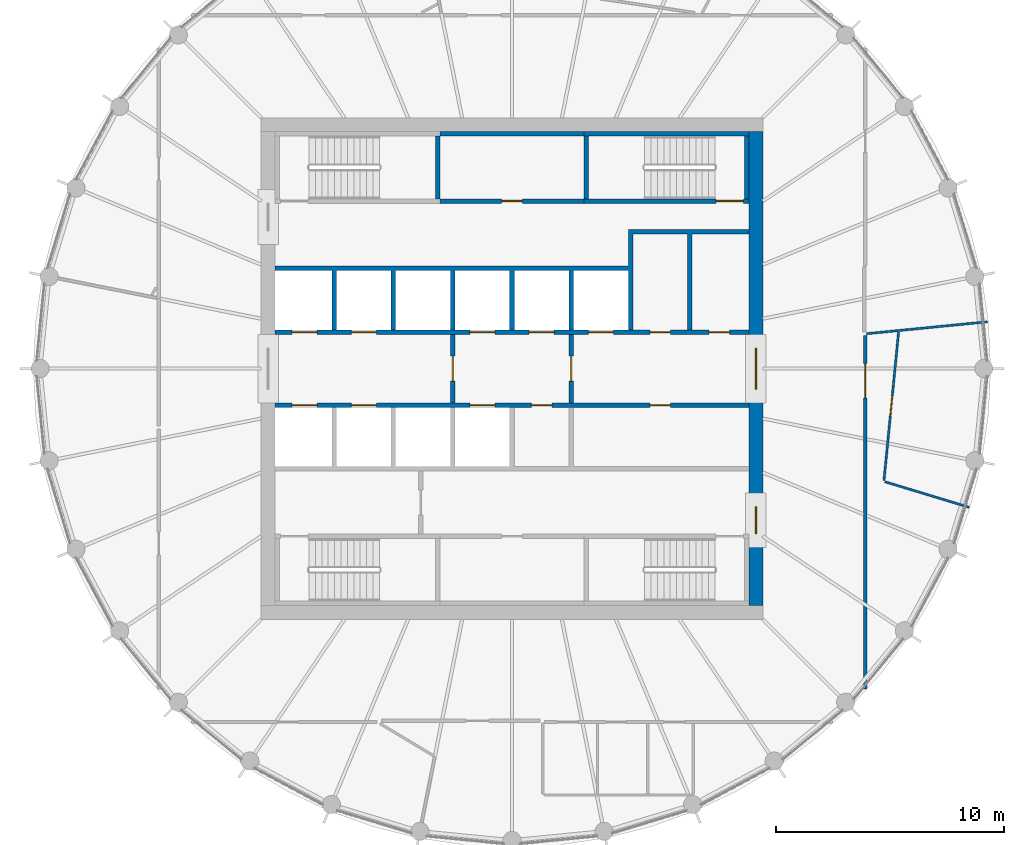
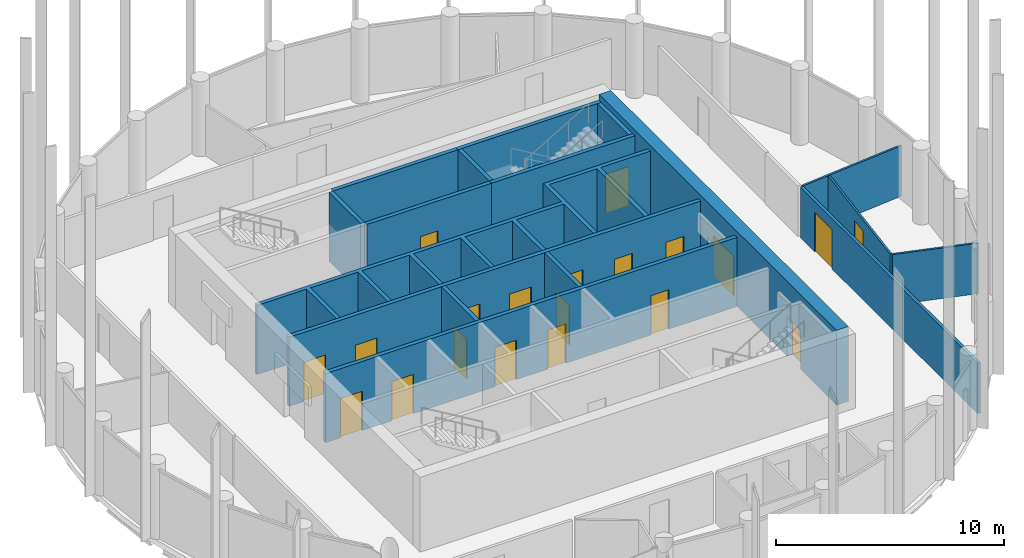
# One storey, part 5 of 7: 20 doors, 17 walls, 20 openings.
"""IFC4 building model written with IfcOpenShell, lengths in metres."""

from ifc_helpers import new_model, si_unit, direction, frame, frame_2d, origin, place, context, subcontext, project, spatial, polyline, rectangle, outline, extrude, material, layer, layer_set, type_object, element, fill, save


model = new_model("IFC4")

# Units and contexts
model_context = context("Model", 3, precision=1e-05, world=origin(), true_north=direction((0.0, 1.0)))
body_context = subcontext(model_context, "Body", "Model", "MODEL_VIEW")
ifc_project = project(units=[si_unit("LENGTHUNIT", "METRE"), si_unit("AREAUNIT", "SQUARE_METRE"), si_unit("VOLUMEUNIT", "CUBIC_METRE"), si_unit("PLANEANGLEUNIT", "RADIAN"), si_unit("MASSUNIT", "GRAM", prefix="KILO")], contexts=[model_context])

# Site, building, storey
site_placement = place(None, origin())
site = spatial("IfcSite", under=ifc_project, at=site_placement, CompositionType="ELEMENT")
building_placement = place(site_placement, origin())
building = spatial("IfcBuilding", under=site, at=building_placement, Name="Corvane Civic Tower", CompositionType="ELEMENT")
storey_placement = place(building_placement, frame((0.0, 0.0, 340.5)))
storey = spatial("IfcBuildingStorey", under=building, at=storey_placement, Name="L81", CompositionType="ELEMENT", Elevation=340.5)

# Wall, openings, doors
ifc_material_1 = material(Name="Concrete C40/50", Category="concrete")
ifc_layer_1 = layer(ifc_material_1, 0.60009765625)
ifc_layer_set_1 = layer_set([ifc_layer_1], Name="Concrete C40/50")
wall_type_1 = type_object("IfcWallType", Name="CORE WALL 600 C40/50", PredefinedType="SHEAR", material=ifc_layer_set_1)
wall_1_placement = place(storey_placement, frame((10.699951171875, -10.39990234375, 0.0), z_axis=(0.0, 0.0, 1.0), x_axis=(0.0, 1.0, 0.0)))
wall_1 = element("IfcWall", 1, at=wall_1_placement, inside=storey, type_object=wall_type_1, Name="W-L81-core-E", PredefinedType="SHEAR", context=body_context, shape_type="SweptSolid", body=[
    extrude(rectangle(XDim=20.7998046875, YDim=0.60009765625, at=frame_2d((10.39990234375, 0.0))), origin(), (0.0, 0.0, 1.0), 4.0),
])
opening_1_placement = place(wall_1_placement, frame((9.5, 0.0, 0.0)))
opening_1 = element("IfcOpeningElement", 2, at=opening_1_placement, cuts=wall_1, Name="Opening L81.C15", PredefinedType="OPENING", context=body_context, shape_type="SweptSolid", body=[
    extrude(rectangle(XDim=1.800048828125, YDim=2.10009765625, at=frame_2d((0.89990234375, 1.050048828125))), frame((0.0, 0.31005859375, 0.0), z_axis=(0.0, -1.0, 0.0), x_axis=(1.0, 0.0, 0.0)), (0.0, 0.0, 1.0), 0.6201171875),
])
opening_2_placement = place(wall_1_placement, frame((3.14990234375, 0.0, 0.0)))
opening_2 = element("IfcOpeningElement", 3, at=opening_2_placement, cuts=wall_1, Name="Opening L81.C17", PredefinedType="OPENING", context=body_context, shape_type="SweptSolid", body=[
    extrude(rectangle(XDim=1.199951171875, YDim=2.10009765625, at=frame_2d((0.60009765625, 1.050048828125))), frame((0.0, 0.31005859375, 0.0), z_axis=(0.0, -1.0, 0.0), x_axis=(1.0, 0.0, 0.0)), (0.0, 0.0, 1.0), 0.6201171875),
])
ifc_material_2 = material(Name="Steel fire door leaf", Category="steel")
door_type_1 = type_object("IfcDoorType", Name="CR-DOOR-CORE-1800", OperationType="DOUBLE_DOOR_SINGLE_SWING", PredefinedType="DOOR", material=ifc_material_2)
door_1_placement = place(opening_1_placement, origin())
door_1 = element("IfcDoor", 4, at=door_1_placement, inside=storey, type_object=door_type_1, Name="L81 door", OperationType="DOUBLE_DOOR_SINGLE_SWING", OverallHeight=2.10009765625, OverallWidth=1.800048828125, PredefinedType="DOOR", context=body_context, shape_type="SweptSolid", body=[
    extrude(rectangle(XDim=1.800048828125, YDim=2.10009765625, at=frame_2d((0.89990234375, 1.050048828125))), frame((0.0, 0.02490234375, 0.0), z_axis=(0.0, -1.0, 0.0), x_axis=(1.0, 0.0, 0.0)), (0.0, 0.0, 1.0), 0.050048828125),
])
fill(opening_1, door_1)
door_2_placement = place(opening_2_placement, origin())
door_2 = element("IfcDoor", 5, at=door_2_placement, inside=storey, type_object=door_type_1, Name="L81 door", OperationType="DOUBLE_DOOR_SINGLE_SWING", OverallHeight=2.10009765625, OverallWidth=1.199951171875, PredefinedType="DOOR", context=body_context, shape_type="SweptSolid", body=[
    extrude(rectangle(XDim=1.199951171875, YDim=2.10009765625, at=frame_2d((0.60009765625, 1.050048828125))), frame((0.0, 0.02490234375, 0.0), z_axis=(0.0, -1.0, 0.0), x_axis=(1.0, 0.0, 0.0)), (0.0, 0.0, 1.0), 0.050048828125),
])
fill(opening_2, door_2)

ifc_material_3 = material(Name="Concrete C30/37", Category="concrete")
ifc_layer_2 = layer(ifc_material_3, 0.199951171875)
ifc_layer_set_2 = layer_set([ifc_layer_2], Name="Concrete C30/37")
wall_type_2 = type_object("IfcWallType", Name="CR-WALL-200", PredefinedType="PARTITIONING", material=ifc_layer_set_2)
wall_2_placement = place(storey_placement, frame((-10.39990234375, -1.60009765625, 0.0), z_axis=(0.0, 0.0, 1.0), x_axis=(1.0, 0.0, 0.0)))
wall_2 = element("IfcWall", 6, at=wall_2_placement, inside=storey, type_object=wall_type_2, Name="L81 lift shaft wall", PredefinedType="PARTITIONING", context=body_context, shape_type="SweptSolid", body=[
    extrude(rectangle(XDim=20.7998046875, YDim=0.199951171875, at=frame_2d((10.39990234375, 0.0))), origin(), (0.0, 0.0, 1.0), 3.699951171875),
])
opening_3_placement = place(wall_2_placement, frame((0.75, 0.0, 0.0)))
opening_3 = element("IfcOpeningElement", 7, at=opening_3_placement, cuts=wall_2, Name="Opening LD", PredefinedType="OPENING", context=body_context, shape_type="SweptSolid", body=[
    extrude(rectangle(XDim=1.10009765625, YDim=2.10009765625, at=frame_2d((0.550048828125, 1.050048828125))), frame((0.0, 0.10986328125, 0.0), z_axis=(0.0, -1.0, 0.0), x_axis=(1.0, 0.0, 0.0)), (0.0, 0.0, 1.0), 0.219970703125),
])
opening_4_placement = place(wall_2_placement, frame((3.35009765625, 0.0, 0.0)))
opening_4 = element("IfcOpeningElement", 8, at=opening_4_placement, cuts=wall_2, Name="Opening LD", PredefinedType="OPENING", context=body_context, shape_type="SweptSolid", body=[
    extrude(rectangle(XDim=1.10009765625, YDim=2.10009765625, at=frame_2d((0.550048828125, 1.050048828125))), frame((0.0, 0.10986328125, 0.0), z_axis=(0.0, -1.0, 0.0), x_axis=(1.0, 0.0, 0.0)), (0.0, 0.0, 1.0), 0.219970703125),
])
opening_5_placement = place(wall_2_placement, frame((8.550048828125, 0.0, 0.0)))
opening_5 = element("IfcOpeningElement", 9, at=opening_5_placement, cuts=wall_2, Name="Opening LD", PredefinedType="OPENING", context=body_context, shape_type="SweptSolid", body=[
    extrude(rectangle(XDim=1.10009765625, YDim=2.10009765625, at=frame_2d((0.550048828125, 1.050048828125))), frame((0.0, 0.10986328125, 0.0), z_axis=(0.0, -1.0, 0.0), x_axis=(1.0, 0.0, 0.0)), (0.0, 0.0, 1.0), 0.219970703125),
])
opening_6_placement = place(wall_2_placement, frame((11.25, 0.0, 0.0)))
opening_6 = element("IfcOpeningElement", 10, at=opening_6_placement, cuts=wall_2, Name="Opening L81.C03", PredefinedType="OPENING", context=body_context, shape_type="SweptSolid", body=[
    extrude(rectangle(XDim=0.89990234375, YDim=2.10009765625, at=frame_2d((0.449951171875, 1.050048828125))), frame((0.0, 0.10986328125, 0.0), z_axis=(0.0, -1.0, 0.0), x_axis=(1.0, 0.0, 0.0)), (0.0, 0.0, 1.0), 0.219970703125),
])
opening_7_placement = place(wall_2_placement, frame((16.449951171875, 0.0, 0.0)))
opening_7 = element("IfcOpeningElement", 11, at=opening_7_placement, cuts=wall_2, Name="Opening L81.C04", PredefinedType="OPENING", context=body_context, shape_type="SweptSolid", body=[
    extrude(rectangle(XDim=0.89990234375, YDim=2.10009765625, at=frame_2d((0.449951171875, 1.050048828125))), frame((0.0, 0.10986328125, 0.0), z_axis=(0.0, -1.0, 0.0), x_axis=(1.0, 0.0, 0.0)), (0.0, 0.0, 1.0), 0.219970703125),
])
ifc_material_4 = material(Name="Steel fire door leaf", Category="steel")
door_type_2 = type_object("IfcDoorType", Name="CR-DOOR-900", OperationType="SINGLE_SWING_LEFT", PredefinedType="DOOR", material=ifc_material_4)
door_3_placement = place(opening_6_placement, origin())
door_3 = element("IfcDoor", 12, at=door_3_placement, inside=storey, type_object=door_type_2, Name="L81 door", OperationType="SINGLE_SWING_LEFT", OverallHeight=2.10009765625, OverallWidth=0.89990234375, PredefinedType="DOOR", context=body_context, shape_type="SweptSolid", body=[
    extrude(rectangle(XDim=0.89990234375, YDim=2.10009765625, at=frame_2d((0.449951171875, 1.050048828125))), frame((0.0, 0.02490234375, 0.0), z_axis=(0.0, -1.0, 0.0), x_axis=(1.0, 0.0, 0.0)), (0.0, 0.0, 1.0), 0.050048828125),
])
fill(opening_6, door_3)
door_4_placement = place(opening_7_placement, origin())
door_4 = element("IfcDoor", 13, at=door_4_placement, inside=storey, type_object=door_type_2, Name="L81 door", OperationType="SINGLE_SWING_LEFT", OverallHeight=2.10009765625, OverallWidth=0.89990234375, PredefinedType="DOOR", context=body_context, shape_type="SweptSolid", body=[
    extrude(rectangle(XDim=0.89990234375, YDim=2.10009765625, at=frame_2d((0.449951171875, 1.050048828125))), frame((0.0, 0.02490234375, 0.0), z_axis=(0.0, -1.0, 0.0), x_axis=(1.0, 0.0, 0.0)), (0.0, 0.0, 1.0), 0.050048828125),
])
fill(opening_7, door_4)
ifc_material_5 = material(Name="Stainless steel 316 door leaves", Category="steel")
door_type_3 = type_object("IfcDoorType", Name="LD", OperationType="DOUBLE_DOOR_SLIDING", PredefinedType="DOOR", material=ifc_material_5)
door_5_placement = place(opening_3_placement, origin())
door_5 = element("IfcDoor", 14, at=door_5_placement, inside=storey, type_object=door_type_3, Name="L81 landing door", OperationType="DOUBLE_DOOR_SLIDING", OverallHeight=2.10009765625, OverallWidth=1.10009765625, PredefinedType="DOOR", context=body_context, shape_type="SweptSolid", body=[
    extrude(rectangle(XDim=1.10009765625, YDim=2.10009765625, at=frame_2d((0.550048828125, 1.050048828125))), frame((0.0, 0.02490234375, 0.0), z_axis=(0.0, -1.0, 0.0), x_axis=(1.0, 0.0, 0.0)), (0.0, 0.0, 1.0), 0.050048828125),
])
fill(opening_3, door_5)
door_6_placement = place(opening_4_placement, origin())
door_6 = element("IfcDoor", 15, at=door_6_placement, inside=storey, type_object=door_type_3, Name="L81 landing door", OperationType="DOUBLE_DOOR_SLIDING", OverallHeight=2.10009765625, OverallWidth=1.10009765625, PredefinedType="DOOR", context=body_context, shape_type="SweptSolid", body=[
    extrude(rectangle(XDim=1.10009765625, YDim=2.10009765625, at=frame_2d((0.550048828125, 1.050048828125))), frame((0.0, 0.02490234375, 0.0), z_axis=(0.0, -1.0, 0.0), x_axis=(1.0, 0.0, 0.0)), (0.0, 0.0, 1.0), 0.050048828125),
])
fill(opening_4, door_6)
door_7_placement = place(opening_5_placement, origin())
door_7 = element("IfcDoor", 16, at=door_7_placement, inside=storey, type_object=door_type_3, Name="L81 landing door", OperationType="DOUBLE_DOOR_SLIDING", OverallHeight=2.10009765625, OverallWidth=1.10009765625, PredefinedType="DOOR", context=body_context, shape_type="SweptSolid", body=[
    extrude(rectangle(XDim=1.10009765625, YDim=2.10009765625, at=frame_2d((0.550048828125, 1.050048828125))), frame((0.0, 0.02490234375, 0.0), z_axis=(0.0, -1.0, 0.0), x_axis=(1.0, 0.0, 0.0)), (0.0, 0.0, 1.0), 0.050048828125),
])
fill(opening_5, door_7)

wall_3_placement = place(storey_placement, frame((-10.39990234375, 1.60009765625, 0.0), z_axis=(0.0, 0.0, 1.0), x_axis=(1.0, 0.0, 0.0)))
wall_3 = element("IfcWall", 17, at=wall_3_placement, inside=storey, type_object=wall_type_2, Name="L81 lift shaft wall", PredefinedType="PARTITIONING", context=body_context, shape_type="SweptSolid", body=[
    extrude(rectangle(XDim=20.7998046875, YDim=0.199951171875, at=frame_2d((10.39990234375, 0.0))), origin(), (0.0, 0.0, 1.0), 3.699951171875),
])
opening_8_placement = place(wall_3_placement, frame((0.75, 0.0, 0.0)))
opening_8 = element("IfcOpeningElement", 18, at=opening_8_placement, cuts=wall_3, Name="Opening LD", PredefinedType="OPENING", context=body_context, shape_type="SweptSolid", body=[
    extrude(rectangle(XDim=1.10009765625, YDim=2.10009765625, at=frame_2d((0.550048828125, 1.050048828125))), frame((0.0, 0.10986328125, 0.0), z_axis=(0.0, -1.0, 0.0), x_axis=(1.0, 0.0, 0.0)), (0.0, 0.0, 1.0), 0.219970703125),
])
opening_9_placement = place(wall_3_placement, frame((3.35009765625, 0.0, 0.0)))
opening_9 = element("IfcOpeningElement", 19, at=opening_9_placement, cuts=wall_3, Name="Opening LD", PredefinedType="OPENING", context=body_context, shape_type="SweptSolid", body=[
    extrude(rectangle(XDim=1.10009765625, YDim=2.10009765625, at=frame_2d((0.550048828125, 1.050048828125))), frame((0.0, 0.10986328125, 0.0), z_axis=(0.0, -1.0, 0.0), x_axis=(1.0, 0.0, 0.0)), (0.0, 0.0, 1.0), 0.219970703125),
])
opening_10_placement = place(wall_3_placement, frame((8.550048828125, 0.0, 0.0)))
opening_10 = element("IfcOpeningElement", 20, at=opening_10_placement, cuts=wall_3, Name="Opening LD", PredefinedType="OPENING", context=body_context, shape_type="SweptSolid", body=[
    extrude(rectangle(XDim=1.10009765625, YDim=2.10009765625, at=frame_2d((0.550048828125, 1.050048828125))), frame((0.0, 0.10986328125, 0.0), z_axis=(0.0, -1.0, 0.0), x_axis=(1.0, 0.0, 0.0)), (0.0, 0.0, 1.0), 0.219970703125),
])
opening_11_placement = place(wall_3_placement, frame((11.14990234375, 0.0, 0.0)))
opening_11 = element("IfcOpeningElement", 21, at=opening_11_placement, cuts=wall_3, Name="Opening LD", PredefinedType="OPENING", context=body_context, shape_type="SweptSolid", body=[
    extrude(rectangle(XDim=1.10009765625, YDim=2.10009765625, at=frame_2d((0.550048828125, 1.050048828125))), frame((0.0, 0.10986328125, 0.0), z_axis=(0.0, -1.0, 0.0), x_axis=(1.0, 0.0, 0.0)), (0.0, 0.0, 1.0), 0.219970703125),
])
opening_12_placement = place(wall_3_placement, frame((13.75, 0.0, 0.0)))
opening_12 = element("IfcOpeningElement", 22, at=opening_12_placement, cuts=wall_3, Name="Opening LD", PredefinedType="OPENING", context=body_context, shape_type="SweptSolid", body=[
    extrude(rectangle(XDim=1.10009765625, YDim=2.10009765625, at=frame_2d((0.550048828125, 1.050048828125))), frame((0.0, 0.10986328125, 0.0), z_axis=(0.0, -1.0, 0.0), x_axis=(1.0, 0.0, 0.0)), (0.0, 0.0, 1.0), 0.219970703125),
])
opening_13_placement = place(wall_3_placement, frame((16.449951171875, 0.0, 0.0)))
opening_13 = element("IfcOpeningElement", 23, at=opening_13_placement, cuts=wall_3, Name="Opening L81.C01", PredefinedType="OPENING", context=body_context, shape_type="SweptSolid", body=[
    extrude(rectangle(XDim=0.89990234375, YDim=2.10009765625, at=frame_2d((0.449951171875, 1.050048828125))), frame((0.0, 0.10986328125, 0.0), z_axis=(0.0, -1.0, 0.0), x_axis=(1.0, 0.0, 0.0)), (0.0, 0.0, 1.0), 0.219970703125),
])
opening_14_placement = place(wall_3_placement, frame((19.050048828125, 0.0, 0.0)))
opening_14 = element("IfcOpeningElement", 24, at=opening_14_placement, cuts=wall_3, Name="Opening L81.C02", PredefinedType="OPENING", context=body_context, shape_type="SweptSolid", body=[
    extrude(rectangle(XDim=0.89990234375, YDim=2.10009765625, at=frame_2d((0.449951171875, 1.050048828125))), frame((0.0, 0.10986328125, 0.0), z_axis=(0.0, -1.0, 0.0), x_axis=(1.0, 0.0, 0.0)), (0.0, 0.0, 1.0), 0.219970703125),
])
door_8_placement = place(opening_13_placement, origin())
door_8 = element("IfcDoor", 25, at=door_8_placement, inside=storey, type_object=door_type_2, Name="L81 door", OperationType="SINGLE_SWING_LEFT", OverallHeight=2.10009765625, OverallWidth=0.89990234375, PredefinedType="DOOR", context=body_context, shape_type="SweptSolid", body=[
    extrude(rectangle(XDim=0.89990234375, YDim=2.10009765625, at=frame_2d((0.449951171875, 1.050048828125))), frame((0.0, 0.02490234375, 0.0), z_axis=(0.0, -1.0, 0.0), x_axis=(1.0, 0.0, 0.0)), (0.0, 0.0, 1.0), 0.050048828125),
])
fill(opening_13, door_8)
door_9_placement = place(opening_14_placement, origin())
door_9 = element("IfcDoor", 26, at=door_9_placement, inside=storey, type_object=door_type_2, Name="L81 door", OperationType="SINGLE_SWING_LEFT", OverallHeight=2.10009765625, OverallWidth=0.89990234375, PredefinedType="DOOR", context=body_context, shape_type="SweptSolid", body=[
    extrude(rectangle(XDim=0.89990234375, YDim=2.10009765625, at=frame_2d((0.449951171875, 1.050048828125))), frame((0.0, 0.02490234375, 0.0), z_axis=(0.0, -1.0, 0.0), x_axis=(1.0, 0.0, 0.0)), (0.0, 0.0, 1.0), 0.050048828125),
])
fill(opening_14, door_9)
door_10_placement = place(opening_8_placement, origin())
door_10 = element("IfcDoor", 27, at=door_10_placement, inside=storey, type_object=door_type_3, Name="L81 landing door", OperationType="DOUBLE_DOOR_SLIDING", OverallHeight=2.10009765625, OverallWidth=1.10009765625, PredefinedType="DOOR", context=body_context, shape_type="SweptSolid", body=[
    extrude(rectangle(XDim=1.10009765625, YDim=2.10009765625, at=frame_2d((0.550048828125, 1.050048828125))), frame((0.0, 0.02490234375, 0.0), z_axis=(0.0, -1.0, 0.0), x_axis=(1.0, 0.0, 0.0)), (0.0, 0.0, 1.0), 0.050048828125),
])
fill(opening_8, door_10)
door_11_placement = place(opening_9_placement, origin())
door_11 = element("IfcDoor", 28, at=door_11_placement, inside=storey, type_object=door_type_3, Name="L81 landing door", OperationType="DOUBLE_DOOR_SLIDING", OverallHeight=2.10009765625, OverallWidth=1.10009765625, PredefinedType="DOOR", context=body_context, shape_type="SweptSolid", body=[
    extrude(rectangle(XDim=1.10009765625, YDim=2.10009765625, at=frame_2d((0.550048828125, 1.050048828125))), frame((0.0, 0.02490234375, 0.0), z_axis=(0.0, -1.0, 0.0), x_axis=(1.0, 0.0, 0.0)), (0.0, 0.0, 1.0), 0.050048828125),
])
fill(opening_9, door_11)
door_12_placement = place(opening_10_placement, origin())
door_12 = element("IfcDoor", 29, at=door_12_placement, inside=storey, type_object=door_type_3, Name="L81 landing door", OperationType="DOUBLE_DOOR_SLIDING", OverallHeight=2.10009765625, OverallWidth=1.10009765625, PredefinedType="DOOR", context=body_context, shape_type="SweptSolid", body=[
    extrude(rectangle(XDim=1.10009765625, YDim=2.10009765625, at=frame_2d((0.550048828125, 1.050048828125))), frame((0.0, 0.02490234375, 0.0), z_axis=(0.0, -1.0, 0.0), x_axis=(1.0, 0.0, 0.0)), (0.0, 0.0, 1.0), 0.050048828125),
])
fill(opening_10, door_12)
door_13_placement = place(opening_11_placement, origin())
door_13 = element("IfcDoor", 30, at=door_13_placement, inside=storey, type_object=door_type_3, Name="L81 landing door", OperationType="DOUBLE_DOOR_SLIDING", OverallHeight=2.10009765625, OverallWidth=1.10009765625, PredefinedType="DOOR", context=body_context, shape_type="SweptSolid", body=[
    extrude(rectangle(XDim=1.10009765625, YDim=2.10009765625, at=frame_2d((0.550048828125, 1.050048828125))), frame((0.0, 0.02490234375, 0.0), z_axis=(0.0, -1.0, 0.0), x_axis=(1.0, 0.0, 0.0)), (0.0, 0.0, 1.0), 0.050048828125),
])
fill(opening_11, door_13)
door_14_placement = place(opening_12_placement, origin())
door_14 = element("IfcDoor", 31, at=door_14_placement, inside=storey, type_object=door_type_3, Name="L81 landing door", OperationType="DOUBLE_DOOR_SLIDING", OverallHeight=2.10009765625, OverallWidth=1.10009765625, PredefinedType="DOOR", context=body_context, shape_type="SweptSolid", body=[
    extrude(rectangle(XDim=1.10009765625, YDim=2.10009765625, at=frame_2d((0.550048828125, 1.050048828125))), frame((0.0, 0.02490234375, 0.0), z_axis=(0.0, -1.0, 0.0), x_axis=(1.0, 0.0, 0.0)), (0.0, 0.0, 1.0), 0.050048828125),
])
fill(opening_12, door_14)

# Wall, opening, door
wall_4_placement = place(storey_placement, frame((-3.14990234375, 7.35009765625, 0.0), z_axis=(0.0, 0.0, 1.0), x_axis=(1.0, 0.0, 0.0)))
wall_4 = element("IfcWall", 32, at=wall_4_placement, inside=storey, type_object=wall_type_2, Name="L81 core partition wall", PredefinedType="PARTITIONING", context=body_context, shape_type="SweptSolid", body=[
    extrude(rectangle(XDim=6.2998046875, YDim=0.199951171875, at=frame_2d((3.14990234375, 0.0))), origin(), (0.0, 0.0, 1.0), 3.699951171875),
])
opening_15_placement = place(wall_4_placement, frame((2.699951171875, 0.0, 0.0)))
opening_15 = element("IfcOpeningElement", 33, at=opening_15_placement, cuts=wall_4, Name="Opening L81.C05", PredefinedType="OPENING", context=body_context, shape_type="SweptSolid", body=[
    extrude(rectangle(XDim=0.89990234375, YDim=2.10009765625, at=frame_2d((0.449951171875, 1.050048828125))), frame((0.0, 0.10986328125, 0.0), z_axis=(0.0, -1.0, 0.0), x_axis=(1.0, 0.0, 0.0)), (0.0, 0.0, 1.0), 0.219970703125),
])
door_15_placement = place(opening_15_placement, origin())
door_15 = element("IfcDoor", 34, at=door_15_placement, inside=storey, type_object=door_type_2, Name="L81 door", OperationType="SINGLE_SWING_LEFT", OverallHeight=2.10009765625, OverallWidth=0.89990234375, PredefinedType="DOOR", context=body_context, shape_type="SweptSolid", body=[
    extrude(rectangle(XDim=0.89990234375, YDim=2.10009765625, at=frame_2d((0.449951171875, 1.050048828125))), frame((0.0, 0.02490234375, 0.0), z_axis=(0.0, -1.0, 0.0), x_axis=(1.0, 0.0, 0.0)), (0.0, 0.0, 1.0), 0.050048828125),
])
fill(opening_15, door_15)

wall_5_placement = place(storey_placement, frame((-2.60009765625, -1.5, 0.0), z_axis=(0.0, 0.0, 1.0), x_axis=(0.0, 1.0, 0.0)))
wall_5 = element("IfcWall", 35, at=wall_5_placement, inside=storey, type_object=wall_type_2, Name="L81 firefighting lobby wall", PredefinedType="PARTITIONING", context=body_context, shape_type="SweptSolid", body=[
    extrude(rectangle(XDim=3.0, YDim=0.199951171875, at=frame_2d((1.5, 0.0))), origin(), (0.0, 0.0, 1.0), 3.699951171875),
])
opening_16_placement = place(wall_5_placement, frame((0.949951171875, 0.0, 0.0)))
opening_16 = element("IfcOpeningElement", 36, at=opening_16_placement, cuts=wall_5, Name="Opening L81.C11", PredefinedType="OPENING", context=body_context, shape_type="SweptSolid", body=[
    extrude(rectangle(XDim=1.10009765625, YDim=2.10009765625, at=frame_2d((0.550048828125, 1.050048828125))), frame((0.0, 0.10986328125, 0.0), z_axis=(0.0, -1.0, 0.0), x_axis=(1.0, 0.0, 0.0)), (0.0, 0.0, 1.0), 0.219970703125),
])
ifc_material_6 = material(Name="Steel fire door leaf", Category="steel")
door_type_4 = type_object("IfcDoorType", Name="CR-DOOR-FFL-1100", OperationType="SINGLE_SWING_LEFT", PredefinedType="DOOR", material=ifc_material_6)
door_16_placement = place(opening_16_placement, origin())
door_16 = element("IfcDoor", 37, at=door_16_placement, inside=storey, type_object=door_type_4, Name="L81 lobby door", OperationType="SINGLE_SWING_LEFT", OverallHeight=2.10009765625, OverallWidth=1.10009765625, PredefinedType="DOOR", context=body_context, shape_type="SweptSolid", body=[
    extrude(rectangle(XDim=1.10009765625, YDim=2.10009765625, at=frame_2d((0.550048828125, 1.050048828125))), frame((0.0, 0.02490234375, 0.0), z_axis=(0.0, -1.0, 0.0), x_axis=(1.0, 0.0, 0.0)), (0.0, 0.0, 1.0), 0.050048828125),
])
fill(opening_16, door_16)

wall_6_placement = place(storey_placement, frame((2.60009765625, -1.5, 0.0), z_axis=(0.0, 0.0, 1.0), x_axis=(0.0, 1.0, 0.0)))
wall_6 = element("IfcWall", 38, at=wall_6_placement, inside=storey, type_object=wall_type_2, Name="L81 firefighting lobby wall", PredefinedType="PARTITIONING", context=body_context, shape_type="SweptSolid", body=[
    extrude(rectangle(XDim=3.0, YDim=0.199951171875, at=frame_2d((1.5, 0.0))), origin(), (0.0, 0.0, 1.0), 3.699951171875),
])
opening_17_placement = place(wall_6_placement, frame((0.949951171875, 0.0, 0.0)))
opening_17 = element("IfcOpeningElement", 39, at=opening_17_placement, cuts=wall_6, Name="Opening L81.C12", PredefinedType="OPENING", context=body_context, shape_type="SweptSolid", body=[
    extrude(rectangle(XDim=1.10009765625, YDim=2.10009765625, at=frame_2d((0.550048828125, 1.050048828125))), frame((0.0, 0.10986328125, 0.0), z_axis=(0.0, -1.0, 0.0), x_axis=(1.0, 0.0, 0.0)), (0.0, 0.0, 1.0), 0.219970703125),
])
door_17_placement = place(opening_17_placement, origin())
door_17 = element("IfcDoor", 40, at=door_17_placement, inside=storey, type_object=door_type_4, Name="L81 lobby door", OperationType="SINGLE_SWING_LEFT", OverallHeight=2.10009765625, OverallWidth=1.10009765625, PredefinedType="DOOR", context=body_context, shape_type="SweptSolid", body=[
    extrude(rectangle(XDim=1.10009765625, YDim=2.10009765625, at=frame_2d((0.550048828125, 1.050048828125))), frame((0.0, 0.02490234375, 0.0), z_axis=(0.0, -1.0, 0.0), x_axis=(1.0, 0.0, 0.0)), (0.0, 0.0, 1.0), 0.050048828125),
])
fill(opening_17, door_17)

# Walls
wall_7_placement = place(storey_placement, origin())
element("IfcWall", 41, at=wall_7_placement, inside=storey, type_object=wall_type_2, Name="L81 core partition wall", PredefinedType="PARTITIONING", context=body_context, shape_type="SweptSolid", body=[
    extrude(outline(polyline([(3.14990234375, 10.199951171875), (-3.14990234375, 10.199951171875), (-3.14990234375, 10.39990234375), (3.14990234375, 10.39990234375), (3.14990234375, 10.199951171875)])), origin(), (0.0, 0.0, 1.0), 3.699951171875),
])
wall_8_placement = place(storey_placement, origin())
element("IfcWall", 42, at=wall_8_placement, inside=storey, type_object=wall_type_2, Name="L81 core partition wall", PredefinedType="PARTITIONING", context=body_context, shape_type="SweptSolid", body=[
    extrude(outline(polyline([(-10.39990234375, 4.300048828125), (-10.39990234375, 4.5), (5.10009765625, 4.5), (5.10009765625, 6.10009765625), (10.39990234375, 6.10009765625), (10.39990234375, 5.89990234375), (7.89990234375, 5.89990234375), (7.89990234375, 1.699951171875), (7.699951171875, 1.699951171875), (7.699951171875, 5.89990234375), (5.300048828125, 5.89990234375), (5.300048828125, 1.699951171875), (5.10009765625, 1.699951171875), (5.10009765625, 4.300048828125), (2.699951171875, 4.300048828125), (2.699951171875, 1.699951171875), (2.5, 1.699951171875), (2.5, 4.300048828125), (0.10009765625, 4.300048828125), (0.10009765625, 1.699951171875), (-0.10009765625, 1.699951171875), (-0.10009765625, 4.300048828125), (-2.5, 4.300048828125), (-2.5, 1.699951171875), (-2.699951171875, 1.699951171875), (-2.699951171875, 4.300048828125), (-5.10009765625, 4.300048828125), (-5.10009765625, 1.699951171875), (-5.300048828125, 1.699951171875), (-5.300048828125, 4.300048828125), (-7.699951171875, 4.300048828125), (-7.699951171875, 1.699951171875), (-7.89990234375, 1.699951171875), (-7.89990234375, 4.300048828125), (-10.39990234375, 4.300048828125)])), origin(), (0.0, 0.0, 1.0), 3.699951171875),
])
ifc_material_7 = material(Name="Plasterboard")
ifc_layer_3 = layer(ifc_material_7, 0.10009765625)
ifc_layer_set_3 = layer_set([ifc_layer_3], Name="Plasterboard")
wall_type_3 = type_object("IfcWallType", Name="Partition 100 plasterboard on studs", PredefinedType="PARTITIONING", material=ifc_layer_set_3)
wall_9_placement = place(storey_placement, frame((16.350830078125, -4.9599609375, 0.0), z_axis=(0.0, 0.0, 1.0), x_axis=(0.956938267548, -0.290291495055, 0.0)))
element("IfcWall", 43, at=wall_9_placement, inside=storey, type_object=wall_type_3, Name="Partition L81.013", PredefinedType="PARTITIONING", context=body_context, shape_type="SweptSolid", body=[
    extrude(rectangle(XDim=3.863525390625, YDim=0.10009765625, at=frame_2d((1.931640625, 0.0))), origin(), (0.0, 0.0, 1.0), 2.699951171875),
])

# Wall, opening, door
wall_10_placement = place(storey_placement, frame((16.3154296875, -4.9072265625, 0.0), z_axis=(0.0, 0.0, 1.0), x_axis=(0.098045643262, 0.995181918966, 0.0)))
wall_10 = element("IfcWall", 44, at=wall_10_placement, inside=storey, type_object=wall_type_3, Name="Partition L81.014", PredefinedType="PARTITIONING", context=body_context, shape_type="SweptSolid", body=[
    extrude(rectangle(XDim=6.548828125, YDim=0.10009765625, at=frame_2d((3.2744140625, 0.0))), origin(), (0.0, 0.0, 1.0), 2.699951171875),
])
opening_18_placement = place(wall_10_placement, frame((2.83447265625, 0.0, 0.0)))
opening_18 = element("IfcOpeningElement", 45, at=opening_18_placement, cuts=wall_10, Name="Opening L81.009", PredefinedType="OPENING", context=body_context, shape_type="SweptSolid", body=[
    extrude(rectangle(XDim=0.89990234375, YDim=2.10009765625, at=frame_2d((0.449951171875, 1.050048828125))), frame((0.0, 0.06005859375, 0.0), z_axis=(0.0, -1.0, 0.0), x_axis=(1.0, 0.0, 0.0)), (0.0, 0.0, 1.0), 0.1201171875),
])
ifc_material_8 = material(Name="Timber", Category="wood")
door_type_5 = type_object("IfcDoorType", Name="Single door 900", OperationType="NOTDEFINED", PredefinedType="DOOR", material=ifc_material_8)
door_18_placement = place(opening_18_placement, frame((0.89990234375, 0.0, 0.0), z_axis=(0.0, 0.0, 1.0), x_axis=(-1.0, 0.0, 0.0)))
door_18 = element("IfcDoor", 46, at=door_18_placement, inside=storey, type_object=door_type_5, Name="Door L81.009", OperationType="SINGLE_SWING_LEFT", OverallHeight=2.10009765625, OverallWidth=0.89990234375, PredefinedType="DOOR", context=body_context, shape_type="SweptSolid", body=[
    extrude(rectangle(XDim=0.89990234375, YDim=2.10009765625, at=frame_2d((0.449951171875, 1.050048828125))), frame((0.0, 0.02490234375, 0.0), z_axis=(0.0, -1.0, 0.0), x_axis=(1.0, 0.0, 0.0)), (0.0, 0.0, 1.0), 0.050048828125),
])
fill(opening_18, door_18)

# Wall
wall_11_placement = place(storey_placement, frame((15.554931640625, 1.531982421875, 0.0), z_axis=(0.0, 0.0, 1.0), x_axis=(0.995184209961, 0.098022386446, 0.0)))
element("IfcWall", 47, at=wall_11_placement, inside=storey, type_object=wall_type_3, Name="Partition L81.016", PredefinedType="PARTITIONING", context=body_context, shape_type="SweptSolid", body=[
    extrude(rectangle(XDim=5.320068359375, YDim=0.10009765625, at=frame_2d((2.66015625, 0.0))), origin(), (0.0, 0.0, 1.0), 2.699951171875),
])

# Wall, opening, door
ifc_material_9 = material(Name="Concrete C50/60", Category="concrete")
ifc_layer_4 = layer(ifc_material_9, 0.199951171875)
ifc_layer_set_4 = layer_set([ifc_layer_4], Name="Concrete C50/60")
wall_type_4 = type_object("IfcWallType", Name="ST-WALL-200", PredefinedType="SHEAR", material=ifc_layer_set_4)
wall_12_placement = place(storey_placement, frame((3.14990234375, 7.35009765625, 0.0), z_axis=(0.0, 0.0, 1.0), x_axis=(1.0, 0.0, 0.0)))
wall_12 = element("IfcWall", 48, at=wall_12_placement, inside=storey, type_object=wall_type_4, Name="L81 stair enclosure wall", PredefinedType="SHEAR", context=body_context, shape_type="SweptSolid", body=[
    extrude(rectangle(XDim=7.25, YDim=0.199951171875, at=frame_2d((3.625, 0.0))), origin(), (0.0, 0.0, 1.0), 3.699951171875),
])
opening_19_placement = place(wall_12_placement, frame((5.800048828125, 0.0, 0.0)))
opening_19 = element("IfcOpeningElement", 49, at=opening_19_placement, cuts=wall_12, Name="Opening L81.C07", PredefinedType="OPENING", context=body_context, shape_type="SweptSolid", body=[
    extrude(rectangle(XDim=1.199951171875, YDim=2.10009765625, at=frame_2d((0.60009765625, 1.050048828125))), frame((0.0, 0.10986328125, 0.0), z_axis=(0.0, -1.0, 0.0), x_axis=(1.0, 0.0, 0.0)), (0.0, 0.0, 1.0), 0.219970703125),
])
ifc_material_10 = material(Name="Steel fire door leaf", Category="steel")
door_type_6 = type_object("IfcDoorType", Name="ST-DOOR-1200", OperationType="SINGLE_SWING_RIGHT", PredefinedType="DOOR", material=ifc_material_10)
door_19_placement = place(opening_19_placement, origin())
door_19 = element("IfcDoor", 50, at=door_19_placement, inside=storey, type_object=door_type_6, Name="L81 stair door", OperationType="SINGLE_SWING_RIGHT", OverallHeight=2.10009765625, OverallWidth=1.199951171875, PredefinedType="DOOR", context=body_context, shape_type="SweptSolid", body=[
    extrude(rectangle(XDim=1.199951171875, YDim=2.10009765625, at=frame_2d((0.60009765625, 1.050048828125))), frame((0.0, 0.02490234375, 0.0), z_axis=(0.0, -1.0, 0.0), x_axis=(1.0, 0.0, 0.0)), (0.0, 0.0, 1.0), 0.050048828125),
])
fill(opening_19, door_19)

# Walls
wall_13_placement = place(storey_placement, origin())
element("IfcWall", 51, at=wall_13_placement, inside=storey, type_object=wall_type_4, Name="L81 stair enclosure wall", PredefinedType="SHEAR", context=body_context, shape_type="SweptSolid", body=[
    extrude(outline(polyline([(10.39990234375, 10.199951171875), (3.14990234375, 10.199951171875), (3.14990234375, 10.39990234375), (10.39990234375, 10.39990234375), (10.39990234375, 10.199951171875)])), origin(), (0.0, 0.0, 1.0), 3.699951171875),
])
wall_14_placement = place(storey_placement, origin())
element("IfcWall", 52, at=wall_14_placement, inside=storey, type_object=wall_type_4, Name="L81 stair enclosure wall", PredefinedType="SHEAR", context=body_context, shape_type="SweptSolid", body=[
    extrude(outline(polyline([(-3.14990234375, 7.449951171875), (-3.35009765625, 7.449951171875), (-3.35009765625, 10.199951171875), (-3.14990234375, 10.199951171875), (-3.14990234375, 7.449951171875)])), origin(), (0.0, 0.0, 1.0), 3.699951171875),
])
wall_15_placement = place(storey_placement, origin())
element("IfcWall", 53, at=wall_15_placement, inside=storey, type_object=wall_type_4, Name="L81 stair enclosure wall", PredefinedType="SHEAR", context=body_context, shape_type="SweptSolid", body=[
    extrude(outline(polyline([(3.35009765625, 7.449951171875), (3.14990234375, 7.449951171875), (3.14990234375, 10.199951171875), (3.35009765625, 10.199951171875), (3.35009765625, 7.449951171875)])), origin(), (0.0, 0.0, 1.0), 3.699951171875),
])
wall_16_placement = place(storey_placement, origin())
element("IfcWall", 54, at=wall_16_placement, inside=storey, type_object=wall_type_4, Name="L81 stair enclosure wall", PredefinedType="SHEAR", context=body_context, shape_type="SweptSolid", body=[
    extrude(outline(polyline([(10.39990234375, 7.449951171875), (10.199951171875, 7.449951171875), (10.199951171875, 10.199951171875), (10.39990234375, 10.199951171875), (10.39990234375, 7.449951171875)])), origin(), (0.0, 0.0, 1.0), 3.699951171875),
])

# Wall, opening, door
ifc_material_11 = material(Name="Plasterboard")
ifc_layer_5 = layer(ifc_material_11, 0.14990234375)
ifc_layer_set_5 = layer_set([ifc_layer_5], Name="Plasterboard")
wall_type_5 = type_object("IfcWallType", Name="Tenancy wall 150 EI 60", PredefinedType="PARTITIONING", material=ifc_layer_set_5)
wall_17_placement = place(storey_placement, frame((15.5, -14.05712890625, 0.0), z_axis=(0.0, 0.0, 1.0), x_axis=(0.0, 1.0, 0.0)))
wall_17 = element("IfcWall", 55, at=wall_17_placement, inside=storey, type_object=wall_type_5, Name="Partition L81.012", PredefinedType="PARTITIONING", context=body_context, shape_type="SweptSolid", body=[
    extrude(rectangle(XDim=15.515625, YDim=0.14990234375, at=frame_2d((7.7578125, 0.0))), origin(), (0.0, 0.0, 1.0), 2.699951171875),
])
opening_20_placement = place(wall_17_placement, frame((12.771484375, 0.0, 0.0)))
opening_20 = element("IfcOpeningElement", 56, at=opening_20_placement, cuts=wall_17, Name="Opening L81.010", PredefinedType="OPENING", context=body_context, shape_type="SweptSolid", body=[
    extrude(rectangle(XDim=1.5, YDim=2.10009765625, at=frame_2d((0.75, 1.050048828125))), frame((0.0, 0.0849609375, 0.0), z_axis=(0.0, -1.0, 0.0), x_axis=(1.0, 0.0, 0.0)), (0.0, 0.0, 1.0), 0.169921875),
])
ifc_material_12 = material(Name="Steel and timber", Category="steel")
door_type_7 = type_object("IfcDoorType", Name="Fire door FD60 double 1500", OperationType="NOTDEFINED", PredefinedType="DOOR", material=ifc_material_12)
door_20_placement = place(opening_20_placement, frame((1.5, 0.0, 0.0), z_axis=(0.0, 0.0, 1.0), x_axis=(-1.0, 0.0, 0.0)))
door_20 = element("IfcDoor", 57, at=door_20_placement, inside=storey, type_object=door_type_7, Name="Door L81.010", OperationType="DOUBLE_DOOR_SINGLE_SWING", OverallHeight=2.10009765625, OverallWidth=1.5, PredefinedType="DOOR", context=body_context, shape_type="SweptSolid", body=[
    extrude(rectangle(XDim=1.5, YDim=2.10009765625, at=frame_2d((0.75, 1.050048828125))), frame((0.0, 0.02490234375, 0.0), z_axis=(0.0, -1.0, 0.0), x_axis=(1.0, 0.0, 0.0)), (0.0, 0.0, 1.0), 0.050048828125),
])
fill(opening_20, door_20)

save(model, "model.ifc")
